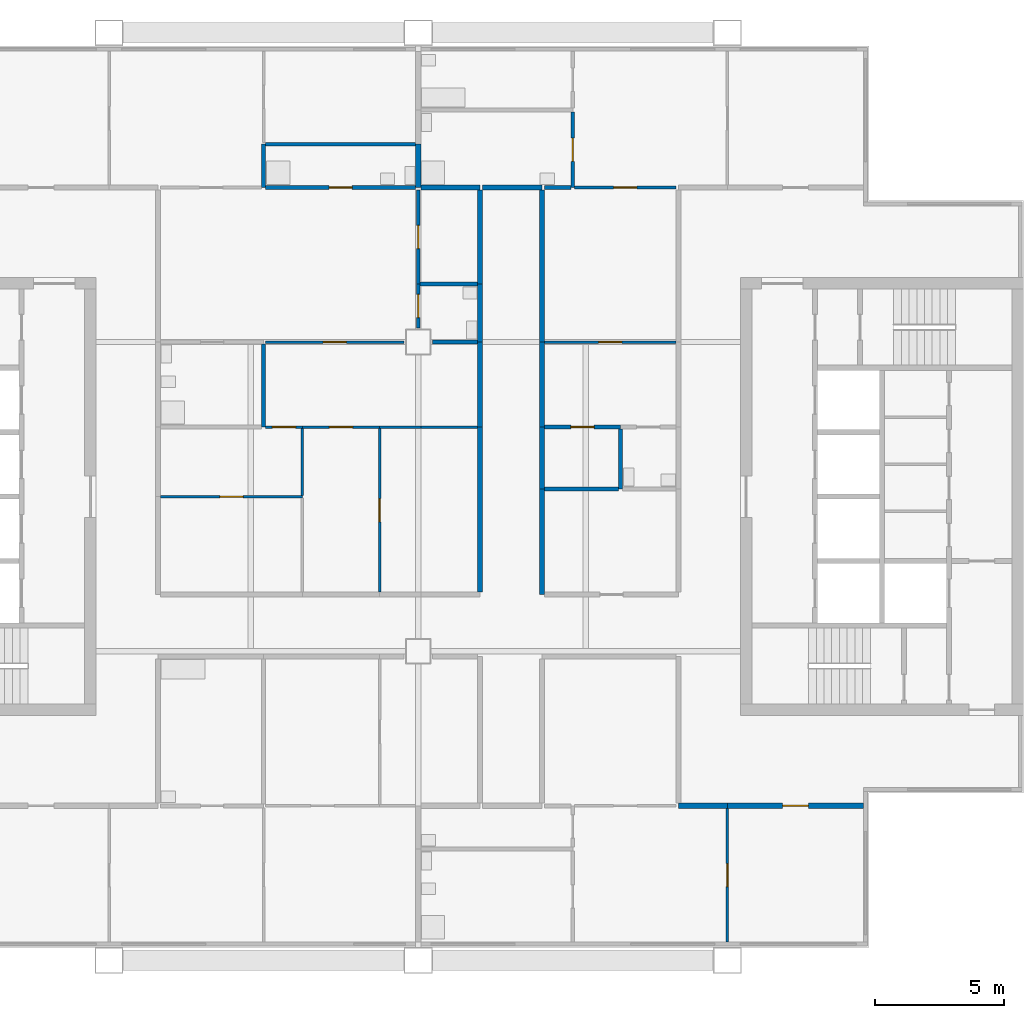
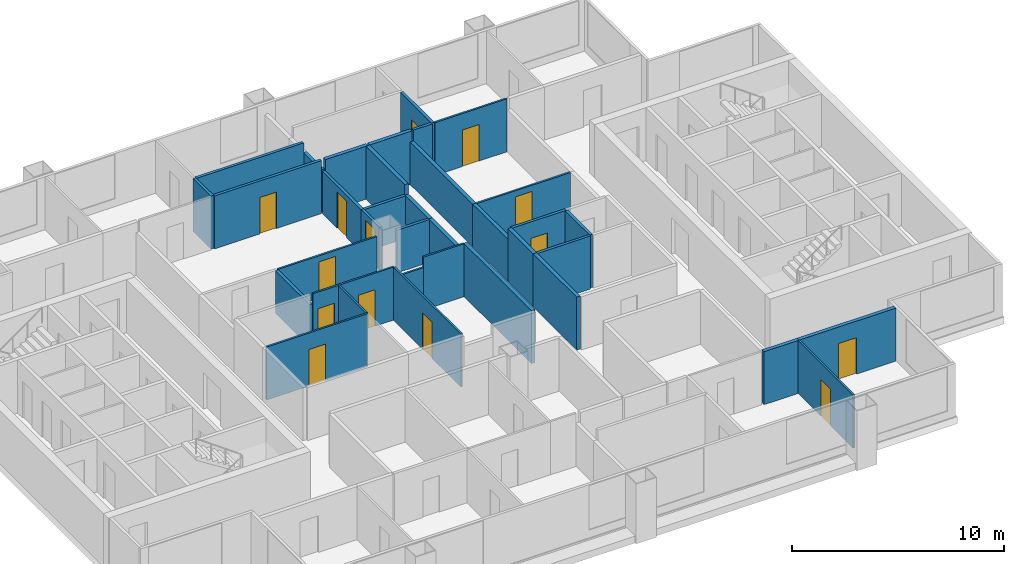
# One storey, part 4 of 9: 37 walls, 14 doors, 14 openings.
"""IFC4 building model written with IfcOpenShell, lengths in metres."""

from ifc_helpers import new_model, si_unit, direction, frame, frame_2d, origin, place, context, subcontext, project, spatial, rectangle, extrude, material, layer, layer_set, type_object, element, fill, save


model = new_model("IFC4")

# Units and contexts
model_context = context("Model", 3, precision=1e-05, world=origin(), true_north=direction((0.0, 1.0)))
body_context = subcontext(model_context, "Body", "Model", "MODEL_VIEW")
ifc_project = project(units=[si_unit("LENGTHUNIT", "METRE"), si_unit("AREAUNIT", "SQUARE_METRE"), si_unit("VOLUMEUNIT", "CUBIC_METRE"), si_unit("PLANEANGLEUNIT", "RADIAN"), si_unit("MASSUNIT", "GRAM", prefix="KILO")], contexts=[model_context])

# Site, building, storey
site_placement = place(None, origin())
site = spatial("IfcSite", under=ifc_project, at=site_placement, CompositionType="ELEMENT")
building_placement = place(site_placement, origin())
building = spatial("IfcBuilding", under=site, at=building_placement, Name="Kitamizu Gate Tower and Museum", CompositionType="ELEMENT")
storey_placement = place(building_placement, frame((0.0, 0.0, 224.85009765625)))
storey = spatial("IfcBuildingStorey", under=building, at=storey_placement, Name="L60", CompositionType="ELEMENT", Elevation=224.85009765625)

# Wall, opening, door
ifc_material_1 = material(Name="Gypsum board on galvanised stud")
ifc_layer_1 = layer(ifc_material_1, 0.10009765625)
ifc_layer_set_1 = layer_set([ifc_layer_1], Name="Gypsum board on galvanised stud")
wall_type_1 = type_object("IfcWallType", Name="Partition 100 NOT RATED", PredefinedType="PARTITIONING", material=ifc_layer_set_1)
wall_1_placement = place(storey_placement, frame((48.0, 12.719970703125, 0.0), z_axis=(0.0, 0.0, 1.0), x_axis=(0.0, 1.0, 0.0)))
wall_1 = element("IfcWall", 1, at=wall_1_placement, inside=storey, type_object=wall_type_1, Name="Partition L60-024", PredefinedType="PARTITIONING", context=body_context, shape_type="SweptSolid", body=[
    extrude(rectangle(XDim=5.179931640625, YDim=0.10009765625, at=frame_2d((2.58984375, 0.0))), origin(), (0.0, 0.0, 1.0), 3.0498046875),
])
opening_1_placement = place(wall_1_placement, frame((2.139892578125, 0.0, 0.0)))
opening_1 = element("IfcOpeningElement", 2, at=opening_1_placement, cuts=wall_1, Name="Opening L60-008", PredefinedType="OPENING", context=body_context, shape_type="SweptSolid", body=[
    extrude(rectangle(XDim=0.89990234375, YDim=2.10009765625, at=frame_2d((0.449951171875, 1.050048828125))), frame((0.0, 0.06005859375, 0.0), z_axis=(0.0, -1.0, 0.0), x_axis=(1.0, 0.0, 0.0)), (0.0, 0.0, 1.0), 0.1201171875),
])
ifc_material_2 = material(Name="Timber door set", Category="wood")
door_type_1 = type_object("IfcDoorType", Name="Room door 900", OperationType="NOTDEFINED", PredefinedType="DOOR", material=ifc_material_2)
door_1_placement = place(opening_1_placement, origin())
door_1 = element("IfcDoor", 3, at=door_1_placement, inside=storey, type_object=door_type_1, Name="Door L60-008", OperationType="SINGLE_SWING_LEFT", OverallHeight=2.10009765625, OverallWidth=0.89990234375, PredefinedType="DOOR", context=body_context, shape_type="SweptSolid", body=[
    extrude(rectangle(XDim=0.89990234375, YDim=2.10009765625, at=frame_2d((0.449951171875, 1.050048828125))), frame((0.0, 0.02490234375, 0.0), z_axis=(0.0, -1.0, 0.0), x_axis=(1.0, 0.0, 0.0)), (0.0, 0.0, 1.0), 0.050048828125),
])
fill(opening_1, door_1)

wall_2_placement = place(storey_placement, frame((30.074951171875, 36.0, 0.0), z_axis=(0.0, 0.0, 1.0), x_axis=(1.0, 0.0, 0.0)))
wall_2 = element("IfcWall", 4, at=wall_2_placement, inside=storey, type_object=wall_type_1, Name="Partition L60-045", PredefinedType="PARTITIONING", context=body_context, shape_type="SweptSolid", body=[
    extrude(rectangle(XDim=5.375, YDim=0.10009765625, at=frame_2d((2.6875, 0.0))), origin(), (0.0, 0.0, 1.0), 2.449951171875),
])
opening_2_placement = place(wall_2_placement, frame((2.237548828125, 0.0, 0.0)))
opening_2 = element("IfcOpeningElement", 5, at=opening_2_placement, cuts=wall_2, Name="Opening L60-020", PredefinedType="OPENING", context=body_context, shape_type="SweptSolid", body=[
    extrude(rectangle(XDim=0.89990234375, YDim=2.10009765625, at=frame_2d((0.449951171875, 1.050048828125))), frame((0.0, 0.06005859375, 0.0), z_axis=(0.0, -1.0, 0.0), x_axis=(1.0, 0.0, 0.0)), (0.0, 0.0, 1.0), 0.1201171875),
])
door_2_placement = place(opening_2_placement, frame((0.89990234375, 0.0, 0.0), x_axis=(-1.0, 0.0, 0.0)))
door_2 = element("IfcDoor", 6, at=door_2_placement, inside=storey, type_object=door_type_1, Name="Door L60-020", OperationType="SINGLE_SWING_RIGHT", OverallHeight=2.10009765625, OverallWidth=0.89990234375, PredefinedType="DOOR", context=body_context, shape_type="SweptSolid", body=[
    extrude(rectangle(XDim=0.89990234375, YDim=2.10009765625, at=frame_2d((0.449951171875, 1.050048828125))), frame((0.0, 0.02490234375, 0.0), z_axis=(0.0, -1.0, 0.0), x_axis=(1.0, 0.0, 0.0)), (0.0, 0.0, 1.0), 0.050048828125),
])
fill(opening_2, door_2)

wall_3_placement = place(storey_placement, frame((30.074951171875, 32.699951171875, 0.0), z_axis=(0.0, 0.0, 1.0), x_axis=(1.0, 0.0, 0.0)))
wall_3 = element("IfcWall", 7, at=wall_3_placement, inside=storey, type_object=wall_type_1, Name="Partition L60-055", PredefinedType="PARTITIONING", context=body_context, shape_type="SweptSolid", body=[
    extrude(rectangle(XDim=1.425048828125, YDim=0.10009765625, at=frame_2d((0.71240234375, 0.0))), origin(), (0.0, 0.0, 1.0), 3.0498046875),
])
opening_3_placement = place(wall_3_placement, frame((0.262451171875, 0.0, 0.0)))
opening_3 = element("IfcOpeningElement", 8, at=opening_3_placement, cuts=wall_3, Name="Opening L60-021", PredefinedType="OPENING", context=body_context, shape_type="SweptSolid", body=[
    extrude(rectangle(XDim=0.89990234375, YDim=2.10009765625, at=frame_2d((0.449951171875, 1.050048828125))), frame((0.0, 0.06005859375, 0.0), z_axis=(0.0, -1.0, 0.0), x_axis=(1.0, 0.0, 0.0)), (0.0, 0.0, 1.0), 0.1201171875),
])
door_3_placement = place(opening_3_placement, frame((0.89990234375, 0.0, 0.0), x_axis=(-1.0, 0.0, 0.0)))
door_3 = element("IfcDoor", 9, at=door_3_placement, inside=storey, type_object=door_type_1, Name="Door L60-021", OperationType="SINGLE_SWING_RIGHT", OverallHeight=2.10009765625, OverallWidth=0.89990234375, PredefinedType="DOOR", context=body_context, shape_type="SweptSolid", body=[
    extrude(rectangle(XDim=0.89990234375, YDim=2.10009765625, at=frame_2d((0.449951171875, 1.050048828125))), frame((0.0, 0.02490234375, 0.0), z_axis=(0.0, -1.0, 0.0), x_axis=(1.0, 0.0, 0.0)), (0.0, 0.0, 1.0), 0.050048828125),
])
fill(opening_3, door_3)

wall_4_placement = place(storey_placement, frame((31.5, 32.699951171875, 0.0), z_axis=(0.0, 0.0, 1.0), x_axis=(1.0, 0.0, 0.0)))
wall_4 = element("IfcWall", 10, at=wall_4_placement, inside=storey, type_object=wall_type_1, Name="Partition L60-056", PredefinedType="PARTITIONING", context=body_context, shape_type="SweptSolid", body=[
    extrude(rectangle(XDim=3.0, YDim=0.10009765625, at=frame_2d((1.5, 0.0))), origin(), (0.0, 0.0, 1.0), 3.0498046875),
])
opening_4_placement = place(wall_4_placement, frame((1.050048828125, 0.0, 0.0)))
opening_4 = element("IfcOpeningElement", 11, at=opening_4_placement, cuts=wall_4, Name="Opening L60-022", PredefinedType="OPENING", context=body_context, shape_type="SweptSolid", body=[
    extrude(rectangle(XDim=0.89990234375, YDim=2.10009765625, at=frame_2d((0.449951171875, 1.050048828125))), frame((0.0, 0.06005859375, 0.0), z_axis=(0.0, -1.0, 0.0), x_axis=(1.0, 0.0, 0.0)), (0.0, 0.0, 1.0), 0.1201171875),
])
door_4_placement = place(opening_4_placement, frame((0.89990234375, 0.0, 0.0), x_axis=(-1.0, 0.0, 0.0)))
door_4 = element("IfcDoor", 12, at=door_4_placement, inside=storey, type_object=door_type_1, Name="Door L60-022", OperationType="SINGLE_SWING_LEFT", OverallHeight=2.10009765625, OverallWidth=0.89990234375, PredefinedType="DOOR", context=body_context, shape_type="SweptSolid", body=[
    extrude(rectangle(XDim=0.89990234375, YDim=2.10009765625, at=frame_2d((0.449951171875, 1.050048828125))), frame((0.0, 0.02490234375, 0.0), z_axis=(0.0, -1.0, 0.0), x_axis=(1.0, 0.0, 0.0)), (0.0, 0.0, 1.0), 0.050048828125),
])
fill(opening_4, door_4)

# Walls
wall_5_placement = place(storey_placement, frame((34.5, 32.699951171875, 0.0), z_axis=(0.0, 0.0, 1.0), x_axis=(1.0, 0.0, 0.0)))
element("IfcWall", 13, at=wall_5_placement, inside=storey, type_object=wall_type_1, Name="Partition L60-057", PredefinedType="PARTITIONING", context=body_context, shape_type="SweptSolid", body=[
    extrude(rectangle(XDim=1.60009765625, YDim=0.10009765625, at=frame_2d((0.800048828125, 0.0))), origin(), (0.0, 0.0, 1.0), 2.449951171875),
])
wall_6_placement = place(storey_placement, frame((36.10009765625, 32.699951171875, 0.0), z_axis=(0.0, 0.0, 1.0), x_axis=(1.0, 0.0, 0.0)))
element("IfcWall", 14, at=wall_6_placement, inside=storey, type_object=wall_type_1, Name="Partition L60-058", PredefinedType="PARTITIONING", context=body_context, shape_type="SweptSolid", body=[
    extrude(rectangle(XDim=2.199951171875, YDim=0.10009765625, at=frame_2d((1.10009765625, 0.0))), origin(), (0.0, 0.0, 1.0), 3.0498046875),
])

# Wall, opening, door
wall_7_placement = place(storey_placement, frame((31.5, 30.0, 0.0), z_axis=(0.0, 0.0, 1.0), x_axis=(-1.0, 0.0, 0.0)))
wall_7 = element("IfcWall", 15, at=wall_7_placement, inside=storey, type_object=wall_type_1, Name="Partition L60-060", PredefinedType="PARTITIONING", context=body_context, shape_type="SweptSolid", body=[
    extrude(rectangle(XDim=5.5, YDim=0.10009765625, at=frame_2d((2.75, 0.0))), origin(), (0.0, 0.0, 1.0), 3.0498046875),
])
opening_5_placement = place(wall_7_placement, frame((2.300048828125, 0.0, 0.0)))
opening_5 = element("IfcOpeningElement", 16, at=opening_5_placement, cuts=wall_7, Name="Opening L60-024", PredefinedType="OPENING", context=body_context, shape_type="SweptSolid", body=[
    extrude(rectangle(XDim=0.89990234375, YDim=2.10009765625, at=frame_2d((0.449951171875, 1.050048828125))), frame((0.0, 0.06005859375, 0.0), z_axis=(0.0, -1.0, 0.0), x_axis=(1.0, 0.0, 0.0)), (0.0, 0.0, 1.0), 0.1201171875),
])
door_5_placement = place(opening_5_placement, frame((0.89990234375, 0.0, 0.0), x_axis=(-1.0, 0.0, 0.0)))
door_5 = element("IfcDoor", 17, at=door_5_placement, inside=storey, type_object=door_type_1, Name="Door L60-024", OperationType="SINGLE_SWING_LEFT", OverallHeight=2.10009765625, OverallWidth=0.89990234375, PredefinedType="DOOR", context=body_context, shape_type="SweptSolid", body=[
    extrude(rectangle(XDim=0.89990234375, YDim=2.10009765625, at=frame_2d((0.449951171875, 1.050048828125))), frame((0.0, 0.02490234375, 0.0), z_axis=(0.0, -1.0, 0.0), x_axis=(1.0, 0.0, 0.0)), (0.0, 0.0, 1.0), 0.050048828125),
])
fill(opening_5, door_5)

# Wall
wall_8_placement = place(storey_placement, frame((31.5, 30.050048828125, 0.0), z_axis=(0.0, 0.0, 1.0), x_axis=(0.0, 1.0, 0.0)))
element("IfcWall", 18, at=wall_8_placement, inside=storey, type_object=wall_type_1, Name="Partition L60-064", PredefinedType="PARTITIONING", context=body_context, shape_type="SweptSolid", body=[
    extrude(rectangle(XDim=2.599853515625, YDim=0.10009765625, at=frame_2d((1.2998046875, 0.0))), origin(), (0.0, 0.0, 1.0), 3.0498046875),
])

# Wall, opening, door
wall_9_placement = place(storey_placement, frame((34.5, 26.300048828125, 0.0), z_axis=(0.0, 0.0, 1.0), x_axis=(0.0, 1.0, 0.0)))
wall_9 = element("IfcWall", 19, at=wall_9_placement, inside=storey, type_object=wall_type_1, Name="Partition L60-066", PredefinedType="PARTITIONING", context=body_context, shape_type="SweptSolid", body=[
    extrude(rectangle(XDim=6.349853515625, YDim=0.10009765625, at=frame_2d((3.1748046875, 0.0))), origin(), (0.0, 0.0, 1.0), 3.0498046875),
])
opening_6_placement = place(wall_9_placement, frame((2.72509765625, 0.0, 0.0)))
opening_6 = element("IfcOpeningElement", 20, at=opening_6_placement, cuts=wall_9, Name="Opening L60-023", PredefinedType="OPENING", context=body_context, shape_type="SweptSolid", body=[
    extrude(rectangle(XDim=0.89990234375, YDim=2.10009765625, at=frame_2d((0.449951171875, 1.050048828125))), frame((0.0, 0.06005859375, 0.0), z_axis=(0.0, -1.0, 0.0), x_axis=(1.0, 0.0, 0.0)), (0.0, 0.0, 1.0), 0.1201171875),
])
door_6_placement = place(opening_6_placement, origin())
door_6 = element("IfcDoor", 21, at=door_6_placement, inside=storey, type_object=door_type_1, Name="Door L60-023", OperationType="SINGLE_SWING_LEFT", OverallHeight=2.10009765625, OverallWidth=0.89990234375, PredefinedType="DOOR", context=body_context, shape_type="SweptSolid", body=[
    extrude(rectangle(XDim=0.89990234375, YDim=2.10009765625, at=frame_2d((0.449951171875, 1.050048828125))), frame((0.0, 0.02490234375, 0.0), z_axis=(0.0, -1.0, 0.0), x_axis=(1.0, 0.0, 0.0)), (0.0, 0.0, 1.0), 0.050048828125),
])
fill(opening_6, door_6)

wall_10_placement = place(storey_placement, frame((42.074951171875, 42.0, 0.0), z_axis=(0.0, 0.0, 1.0), x_axis=(1.0, 0.0, 0.0)))
wall_10 = element("IfcWall", 22, at=wall_10_placement, inside=storey, type_object=wall_type_1, Name="Partition L60-077", PredefinedType="PARTITIONING", context=body_context, shape_type="SweptSolid", body=[
    extrude(rectangle(XDim=3.925048828125, YDim=0.10009765625, at=frame_2d((1.96240234375, 0.0))), origin(), (0.0, 0.0, 1.0), 3.0498046875),
])
opening_7_placement = place(wall_10_placement, frame((1.512451171875, 0.0, 0.0)))
opening_7 = element("IfcOpeningElement", 23, at=opening_7_placement, cuts=wall_10, Name="Opening L60-027", PredefinedType="OPENING", context=body_context, shape_type="SweptSolid", body=[
    extrude(rectangle(XDim=0.89990234375, YDim=2.10009765625, at=frame_2d((0.449951171875, 1.050048828125))), frame((0.0, 0.06005859375, 0.0), z_axis=(0.0, -1.0, 0.0), x_axis=(1.0, 0.0, 0.0)), (0.0, 0.0, 1.0), 0.1201171875),
])
door_7_placement = place(opening_7_placement, origin())
door_7 = element("IfcDoor", 24, at=door_7_placement, inside=storey, type_object=door_type_1, Name="Door L60-027", OperationType="SINGLE_SWING_LEFT", OverallHeight=2.10009765625, OverallWidth=0.89990234375, PredefinedType="DOOR", context=body_context, shape_type="SweptSolid", body=[
    extrude(rectangle(XDim=0.89990234375, YDim=2.10009765625, at=frame_2d((0.449951171875, 1.050048828125))), frame((0.0, 0.02490234375, 0.0), z_axis=(0.0, -1.0, 0.0), x_axis=(1.0, 0.0, 0.0)), (0.0, 0.0, 1.0), 0.050048828125),
])
fill(opening_7, door_7)

wall_11_placement = place(storey_placement, frame((40.89990234375, 36.0, 0.0), z_axis=(0.0, 0.0, 1.0), x_axis=(1.0, 0.0, 0.0)))
wall_11 = element("IfcWall", 25, at=wall_11_placement, inside=storey, type_object=wall_type_1, Name="Partition L60-080", PredefinedType="PARTITIONING", context=body_context, shape_type="SweptSolid", body=[
    extrude(rectangle(XDim=5.10009765625, YDim=0.10009765625, at=frame_2d((2.550048828125, 0.0))), origin(), (0.0, 0.0, 1.0), 2.449951171875),
])
opening_8_placement = place(wall_11_placement, frame((2.10009765625, 0.0, 0.0)))
opening_8 = element("IfcOpeningElement", 26, at=opening_8_placement, cuts=wall_11, Name="Opening L60-030", PredefinedType="OPENING", context=body_context, shape_type="SweptSolid", body=[
    extrude(rectangle(XDim=0.89990234375, YDim=2.10009765625, at=frame_2d((0.449951171875, 1.050048828125))), frame((0.0, 0.06005859375, 0.0), z_axis=(0.0, -1.0, 0.0), x_axis=(1.0, 0.0, 0.0)), (0.0, 0.0, 1.0), 0.1201171875),
])
door_8_placement = place(opening_8_placement, frame((0.89990234375, 0.0, 0.0), x_axis=(-1.0, 0.0, 0.0)))
door_8 = element("IfcDoor", 27, at=door_8_placement, inside=storey, type_object=door_type_1, Name="Door L60-030", OperationType="SINGLE_SWING_LEFT", OverallHeight=2.10009765625, OverallWidth=0.89990234375, PredefinedType="DOOR", context=body_context, shape_type="SweptSolid", body=[
    extrude(rectangle(XDim=0.89990234375, YDim=2.10009765625, at=frame_2d((0.449951171875, 1.050048828125))), frame((0.0, 0.02490234375, 0.0), z_axis=(0.0, -1.0, 0.0), x_axis=(1.0, 0.0, 0.0)), (0.0, 0.0, 1.0), 0.050048828125),
])
fill(opening_8, door_8)

# Walls
ifc_material_3 = material(Name="Gypsum board on galvanised stud")
ifc_layer_2 = layer(ifc_material_3, 0.14990234375)
ifc_layer_set_2 = layer_set([ifc_layer_2], Name="Gypsum board on galvanised stud")
wall_type_2 = type_object("IfcWallType", Name="Partition 150", PredefinedType="PARTITIONING", material=ifc_layer_set_2)
wall_12_placement = place(storey_placement, frame((30.0, 42.0, 0.0), z_axis=(0.0, 0.0, 1.0), x_axis=(0.0, 1.0, 0.0)))
element("IfcWall", 28, at=wall_12_placement, inside=storey, type_object=wall_type_2, Name="Partition L60-034", PredefinedType="PARTITIONING", context=body_context, shape_type="SweptSolid", body=[
    extrude(rectangle(XDim=1.679931640625, YDim=0.14990234375, at=frame_2d((0.83984375, 0.0))), origin(), (0.0, 0.0, 1.0), 3.0498046875),
])
wall_13_placement = place(storey_placement, frame((30.074951171875, 43.679931640625, 0.0), z_axis=(0.0, 0.0, 1.0), x_axis=(1.0, 0.0, 0.0)))
element("IfcWall", 29, at=wall_13_placement, inside=storey, type_object=wall_type_2, Name="Partition L60-037", PredefinedType="PARTITIONING", context=body_context, shape_type="SweptSolid", body=[
    extrude(rectangle(XDim=5.824951171875, YDim=0.14990234375, at=frame_2d((2.91259765625, 0.0))), origin(), (0.0, 0.0, 1.0), 3.0498046875),
])

# Wall, opening, door
wall_14_placement = place(storey_placement, frame((30.074951171875, 42.0, 0.0), z_axis=(0.0, 0.0, 1.0), x_axis=(1.0, 0.0, 0.0)))
wall_14 = element("IfcWall", 30, at=wall_14_placement, inside=storey, type_object=wall_type_2, Name="Partition L60-040", PredefinedType="PARTITIONING", context=body_context, shape_type="SweptSolid", body=[
    extrude(rectangle(XDim=5.824951171875, YDim=0.14990234375, at=frame_2d((2.91259765625, 0.0))), origin(), (0.0, 0.0, 1.0), 3.0498046875),
])
opening_9_placement = place(wall_14_placement, frame((2.46240234375, 0.0, 0.0)))
opening_9 = element("IfcOpeningElement", 31, at=opening_9_placement, cuts=wall_14, Name="Opening L60-015", PredefinedType="OPENING", context=body_context, shape_type="SweptSolid", body=[
    extrude(rectangle(XDim=0.89990234375, YDim=2.10009765625, at=frame_2d((0.449951171875, 1.050048828125))), frame((0.0, 0.0849609375, 0.0), z_axis=(0.0, -1.0, 0.0), x_axis=(1.0, 0.0, 0.0)), (0.0, 0.0, 1.0), 0.169921875),
])
ifc_material_4 = material(Name="Timber door set", Category="wood")
door_type_2 = type_object("IfcDoorType", Name="Bathroom door 900", OperationType="NOTDEFINED", PredefinedType="DOOR", material=ifc_material_4)
door_9_placement = place(opening_9_placement, origin())
door_9 = element("IfcDoor", 32, at=door_9_placement, inside=storey, type_object=door_type_2, Name="Bathroom door L60-015", OperationType="SINGLE_SWING_RIGHT", OverallHeight=2.10009765625, OverallWidth=0.89990234375, PredefinedType="DOOR", context=body_context, shape_type="SweptSolid", body=[
    extrude(rectangle(XDim=0.89990234375, YDim=2.10009765625, at=frame_2d((0.449951171875, 1.050048828125))), frame((0.0, 0.02490234375, 0.0), z_axis=(0.0, -1.0, 0.0), x_axis=(1.0, 0.0, 0.0)), (0.0, 0.0, 1.0), 0.050048828125),
])
fill(opening_9, door_9)

wall_15_placement = place(storey_placement, frame((36.0, 36.550048828125, 0.0), z_axis=(0.0, 0.0, 1.0), x_axis=(0.0, 1.0, 0.0)))
wall_15 = element("IfcWall", 33, at=wall_15_placement, inside=storey, type_object=wall_type_2, Name="Partition L60-042", PredefinedType="PARTITIONING", context=body_context, shape_type="SweptSolid", body=[
    extrude(rectangle(XDim=1.699951171875, YDim=0.14990234375, at=frame_2d((0.85009765625, 0.0))), origin(), (0.0, 0.0, 1.0), 2.449951171875),
])
opening_10_placement = place(wall_15_placement, frame((0.39990234375, 0.0, 0.0)))
opening_10 = element("IfcOpeningElement", 34, at=opening_10_placement, cuts=wall_15, Name="Opening L60-018", PredefinedType="OPENING", context=body_context, shape_type="SweptSolid", body=[
    extrude(rectangle(XDim=0.89990234375, YDim=2.10009765625, at=frame_2d((0.449951171875, 1.050048828125))), frame((0.0, 0.0849609375, 0.0), z_axis=(0.0, -1.0, 0.0), x_axis=(1.0, 0.0, 0.0)), (0.0, 0.0, 1.0), 0.169921875),
])
door_10_placement = place(opening_10_placement, frame((0.89990234375, 0.0, 0.0), x_axis=(-1.0, 0.0, 0.0)))
door_10 = element("IfcDoor", 35, at=door_10_placement, inside=storey, type_object=door_type_2, Name="Bathroom door L60-018", OperationType="SINGLE_SWING_RIGHT", OverallHeight=2.10009765625, OverallWidth=0.89990234375, PredefinedType="DOOR", context=body_context, shape_type="SweptSolid", body=[
    extrude(rectangle(XDim=0.89990234375, YDim=2.10009765625, at=frame_2d((0.449951171875, 1.050048828125))), frame((0.0, 0.02490234375, 0.0), z_axis=(0.0, -1.0, 0.0), x_axis=(1.0, 0.0, 0.0)), (0.0, 0.0, 1.0), 0.050048828125),
])
fill(opening_10, door_10)

wall_16_placement = place(storey_placement, frame((36.0, 38.25, 0.0), z_axis=(0.0, 0.0, 1.0), x_axis=(0.0, 1.0, 0.0)))
wall_16 = element("IfcWall", 36, at=wall_16_placement, inside=storey, type_object=wall_type_2, Name="Partition L60-043", PredefinedType="PARTITIONING", context=body_context, shape_type="SweptSolid", body=[
    extrude(rectangle(XDim=3.64990234375, YDim=0.14990234375, at=frame_2d((1.824951171875, 0.0))), origin(), (0.0, 0.0, 1.0), 2.449951171875),
])
opening_11_placement = place(wall_16_placement, frame((1.375, 0.0, 0.0)))
opening_11 = element("IfcOpeningElement", 37, at=opening_11_placement, cuts=wall_16, Name="Opening L60-019", PredefinedType="OPENING", context=body_context, shape_type="SweptSolid", body=[
    extrude(rectangle(XDim=0.89990234375, YDim=2.10009765625, at=frame_2d((0.449951171875, 1.050048828125))), frame((0.0, 0.0849609375, 0.0), z_axis=(0.0, -1.0, 0.0), x_axis=(1.0, 0.0, 0.0)), (0.0, 0.0, 1.0), 0.169921875),
])
door_11_placement = place(opening_11_placement, frame((0.89990234375, 0.0, 0.0), x_axis=(-1.0, 0.0, 0.0)))
door_11 = element("IfcDoor", 38, at=door_11_placement, inside=storey, type_object=door_type_2, Name="Bathroom door L60-019", OperationType="SINGLE_SWING_LEFT", OverallHeight=2.10009765625, OverallWidth=0.89990234375, PredefinedType="DOOR", context=body_context, shape_type="SweptSolid", body=[
    extrude(rectangle(XDim=0.89990234375, YDim=2.10009765625, at=frame_2d((0.449951171875, 1.050048828125))), frame((0.0, 0.02490234375, 0.0), z_axis=(0.0, -1.0, 0.0), x_axis=(1.0, 0.0, 0.0)), (0.0, 0.0, 1.0), 0.050048828125),
])
fill(opening_11, door_11)

# Walls
wall_17_placement = place(storey_placement, frame((38.300048828125, 38.25, 0.0), z_axis=(0.0, 0.0, 1.0), x_axis=(-1.0, 0.0, 0.0)))
element("IfcWall", 39, at=wall_17_placement, inside=storey, type_object=wall_type_2, Name="Partition L60-047", PredefinedType="PARTITIONING", context=body_context, shape_type="SweptSolid", body=[
    extrude(rectangle(XDim=2.22509765625, YDim=0.14990234375, at=frame_2d((1.112548828125, 0.0))), origin(), (0.0, 0.0, 1.0), 2.449951171875),
])
wall_18_placement = place(storey_placement, frame((36.550048828125, 36.0, 0.0), z_axis=(0.0, 0.0, 1.0), x_axis=(1.0, 0.0, 0.0)))
element("IfcWall", 40, at=wall_18_placement, inside=storey, type_object=wall_type_2, Name="Partition L60-048", PredefinedType="PARTITIONING", context=body_context, shape_type="SweptSolid", body=[
    extrude(rectangle(XDim=1.75, YDim=0.14990234375, at=frame_2d((0.875, 0.0))), origin(), (0.0, 0.0, 1.0), 2.449951171875),
])
wall_19_placement = place(storey_placement, frame((30.0, 32.699951171875, 0.0), z_axis=(0.0, 0.0, 1.0), x_axis=(0.0, 1.0, 0.0)))
element("IfcWall", 41, at=wall_19_placement, inside=storey, type_object=wall_type_2, Name="Partition L60-052", PredefinedType="PARTITIONING", context=body_context, shape_type="SweptSolid", body=[
    extrude(rectangle(XDim=3.22509765625, YDim=0.14990234375, at=frame_2d((1.612548828125, 0.0))), origin(), (0.0, 0.0, 1.0), 2.449951171875),
])

# Wall, opening, door
wall_20_placement = place(storey_placement, frame((42.0, 42.0, 0.0), z_axis=(0.0, 0.0, 1.0), x_axis=(0.0, 1.0, 0.0)))
wall_20 = element("IfcWall", 42, at=wall_20_placement, inside=storey, type_object=wall_type_2, Name="Partition L60-072", PredefinedType="PARTITIONING", context=body_context, shape_type="SweptSolid", body=[
    extrude(rectangle(XDim=2.925048828125, YDim=0.14990234375, at=frame_2d((1.46240234375, 0.0))), origin(), (0.0, 0.0, 1.0), 3.0498046875),
])
opening_12_placement = place(wall_20_placement, frame((1.012451171875, 0.0, 0.0)))
opening_12 = element("IfcOpeningElement", 43, at=opening_12_placement, cuts=wall_20, Name="Opening L60-028", PredefinedType="OPENING", context=body_context, shape_type="SweptSolid", body=[
    extrude(rectangle(XDim=0.89990234375, YDim=2.10009765625, at=frame_2d((0.449951171875, 1.050048828125))), frame((0.0, 0.0849609375, 0.0), z_axis=(0.0, -1.0, 0.0), x_axis=(1.0, 0.0, 0.0)), (0.0, 0.0, 1.0), 0.169921875),
])
door_12_placement = place(opening_12_placement, origin())
door_12 = element("IfcDoor", 44, at=door_12_placement, inside=storey, type_object=door_type_2, Name="Bathroom door L60-028", OperationType="SINGLE_SWING_RIGHT", OverallHeight=2.10009765625, OverallWidth=0.89990234375, PredefinedType="DOOR", context=body_context, shape_type="SweptSolid", body=[
    extrude(rectangle(XDim=0.89990234375, YDim=2.10009765625, at=frame_2d((0.449951171875, 1.050048828125))), frame((0.0, 0.02490234375, 0.0), z_axis=(0.0, -1.0, 0.0), x_axis=(1.0, 0.0, 0.0)), (0.0, 0.0, 1.0), 0.050048828125),
])
fill(opening_12, door_12)

# Wall
wall_21_placement = place(storey_placement, frame((40.89990234375, 42.0, 0.0), z_axis=(0.0, 0.0, 1.0), x_axis=(1.0, 0.0, 0.0)))
element("IfcWall", 45, at=wall_21_placement, inside=storey, type_object=wall_type_2, Name="Partition L60-073", PredefinedType="PARTITIONING", context=body_context, shape_type="SweptSolid", body=[
    extrude(rectangle(XDim=1.025146484375, YDim=0.14990234375, at=frame_2d((0.5126953125, 0.0))), origin(), (0.0, 0.0, 1.0), 3.0498046875),
])

# Wall, opening, door
wall_22_placement = place(storey_placement, frame((40.89990234375, 32.699951171875, 0.0), z_axis=(0.0, 0.0, 1.0), x_axis=(1.0, 0.0, 0.0)))
wall_22 = element("IfcWall", 46, at=wall_22_placement, inside=storey, type_object=wall_type_2, Name="Partition L60-084", PredefinedType="PARTITIONING", context=body_context, shape_type="SweptSolid", body=[
    extrude(rectangle(XDim=2.9501953125, YDim=0.14990234375, at=frame_2d((1.47509765625, 0.0))), origin(), (0.0, 0.0, 1.0), 3.0498046875),
])
opening_13_placement = place(wall_22_placement, frame((1.02490234375, 0.0, 0.0)))
opening_13 = element("IfcOpeningElement", 47, at=opening_13_placement, cuts=wall_22, Name="Opening L60-032", PredefinedType="OPENING", context=body_context, shape_type="SweptSolid", body=[
    extrude(rectangle(XDim=0.89990234375, YDim=2.10009765625, at=frame_2d((0.449951171875, 1.050048828125))), frame((0.0, 0.0849609375, 0.0), z_axis=(0.0, -1.0, 0.0), x_axis=(1.0, 0.0, 0.0)), (0.0, 0.0, 1.0), 0.169921875),
])
door_13_placement = place(opening_13_placement, frame((0.89990234375, 0.0, 0.0), x_axis=(-1.0, 0.0, 0.0)))
door_13 = element("IfcDoor", 48, at=door_13_placement, inside=storey, type_object=door_type_2, Name="Bathroom door L60-032", OperationType="SINGLE_SWING_LEFT", OverallHeight=2.10009765625, OverallWidth=0.89990234375, PredefinedType="DOOR", context=body_context, shape_type="SweptSolid", body=[
    extrude(rectangle(XDim=0.89990234375, YDim=2.10009765625, at=frame_2d((0.449951171875, 1.050048828125))), frame((0.0, 0.02490234375, 0.0), z_axis=(0.0, -1.0, 0.0), x_axis=(1.0, 0.0, 0.0)), (0.0, 0.0, 1.0), 0.050048828125),
])
fill(opening_13, door_13)

# Walls
wall_23_placement = place(storey_placement, frame((43.85009765625, 32.625, 0.0), z_axis=(0.0, 0.0, 1.0), x_axis=(0.0, -1.0, 0.0)))
element("IfcWall", 49, at=wall_23_placement, inside=storey, type_object=wall_type_2, Name="Partition L60-087", PredefinedType="PARTITIONING", context=body_context, shape_type="SweptSolid", body=[
    extrude(rectangle(XDim=2.324951171875, YDim=0.14990234375, at=frame_2d((1.16259765625, 0.0))), origin(), (0.0, 0.0, 1.0), 3.0498046875),
])
wall_24_placement = place(storey_placement, frame((40.89990234375, 30.300048828125, 0.0), z_axis=(0.0, 0.0, 1.0), x_axis=(1.0, 0.0, 0.0)))
element("IfcWall", 50, at=wall_24_placement, inside=storey, type_object=wall_type_2, Name="Partition L60-090", PredefinedType="PARTITIONING", context=body_context, shape_type="SweptSolid", body=[
    extrude(rectangle(XDim=2.875, YDim=0.14990234375, at=frame_2d((1.4375, 0.0))), origin(), (0.0, 0.0, 1.0), 3.0498046875),
])
ifc_material_5 = material(Name="Gypsum board on galvanised stud")
ifc_layer_3 = layer(ifc_material_5, 0.199951171875)
ifc_layer_set_3 = layer_set([ifc_layer_3], Name="Gypsum board on galvanised stud")
wall_type_3 = type_object("IfcWallType", Name="Partition 200", PredefinedType="PARTITIONING", material=ifc_layer_set_3)
wall_25_placement = place(storey_placement, frame((48.0, 18.0, 0.0), z_axis=(0.0, 0.0, 1.0), x_axis=(-1.0, 0.0, 0.0)))
element("IfcWall", 51, at=wall_25_placement, inside=storey, type_object=wall_type_3, Name="Partition L60-026", PredefinedType="PARTITIONING", context=body_context, shape_type="SweptSolid", body=[
    extrude(rectangle(XDim=1.89990234375, YDim=0.199951171875, at=frame_2d((0.949951171875, 0.0))), origin(), (0.0, 0.0, 1.0), 3.0498046875),
])

# Wall, opening, door
wall_26_placement = place(storey_placement, frame((53.280029296875, 18.0, 0.0), z_axis=(0.0, 0.0, 1.0), x_axis=(-1.0, 0.0, 0.0)))
wall_26 = element("IfcWall", 52, at=wall_26_placement, inside=storey, type_object=wall_type_3, Name="Partition L60-027", PredefinedType="PARTITIONING", context=body_context, shape_type="SweptSolid", body=[
    extrude(rectangle(XDim=5.280029296875, YDim=0.199951171875, at=frame_2d((2.64013671875, 0.0))), origin(), (0.0, 0.0, 1.0), 3.0498046875),
])
opening_14_placement = place(wall_26_placement, frame((2.139892578125, 0.0, 0.0)))
opening_14 = element("IfcOpeningElement", 53, at=opening_14_placement, cuts=wall_26, Name="Opening L60-007", PredefinedType="OPENING", context=body_context, shape_type="SweptSolid", body=[
    extrude(rectangle(XDim=1.0, YDim=2.10009765625, at=frame_2d((0.5, 1.050048828125))), frame((0.0, 0.10986328125, 0.0), z_axis=(0.0, -1.0, 0.0), x_axis=(1.0, 0.0, 0.0)), (0.0, 0.0, 1.0), 0.219970703125),
])
ifc_material_6 = material(Name="Timber door set", Category="wood")
door_type_3 = type_object("IfcDoorType", Name="Flat entrance door 1000", OperationType="NOTDEFINED", PredefinedType="DOOR", material=ifc_material_6)
door_14_placement = place(opening_14_placement, origin())
door_14 = element("IfcDoor", 54, at=door_14_placement, inside=storey, type_object=door_type_3, Name="Flat entrance door L60-007", OperationType="SINGLE_SWING_RIGHT", OverallHeight=2.10009765625, OverallWidth=1.0, PredefinedType="DOOR", context=body_context, shape_type="SweptSolid", body=[
    extrude(rectangle(XDim=1.0, YDim=2.10009765625, at=frame_2d((0.5, 1.050048828125))), frame((0.0, 0.02490234375, 0.0), z_axis=(0.0, -1.0, 0.0), x_axis=(1.0, 0.0, 0.0)), (0.0, 0.0, 1.0), 0.050048828125),
])
fill(opening_14, door_14)

# Walls
wall_27_placement = place(storey_placement, frame((36.0, 42.0, 0.0), z_axis=(0.0, 0.0, 1.0), x_axis=(0.0, 1.0, 0.0)))
element("IfcWall", 55, at=wall_27_placement, inside=storey, type_object=wall_type_3, Name="Partition L60-041", PredefinedType="PARTITIONING", context=body_context, shape_type="SweptSolid", body=[
    extrude(rectangle(XDim=1.679931640625, YDim=0.199951171875, at=frame_2d((0.83984375, 0.0))), origin(), (0.0, 0.0, 1.0), 2.449951171875),
])
wall_28_placement = place(storey_placement, frame((38.39990234375, 36.0, 0.0), z_axis=(0.0, 0.0, 1.0), x_axis=(0.0, 1.0, 0.0)))
element("IfcWall", 56, at=wall_28_placement, inside=storey, type_object=wall_type_3, Name="Partition L60-049", PredefinedType="PARTITIONING", context=body_context, shape_type="SweptSolid", body=[
    extrude(rectangle(XDim=2.25, YDim=0.199951171875, at=frame_2d((1.125, 0.0))), origin(), (0.0, 0.0, 1.0), 2.449951171875),
])
wall_29_placement = place(storey_placement, frame((38.39990234375, 42.0, 0.0), z_axis=(0.0, 0.0, 1.0), x_axis=(-1.0, 0.0, 0.0)))
element("IfcWall", 57, at=wall_29_placement, inside=storey, type_object=wall_type_3, Name="Partition L60-050", PredefinedType="PARTITIONING", context=body_context, shape_type="SweptSolid", body=[
    extrude(rectangle(XDim=2.2998046875, YDim=0.199951171875, at=frame_2d((1.14990234375, 0.0))), origin(), (0.0, 0.0, 1.0), 3.0498046875),
])
wall_30_placement = place(storey_placement, frame((38.39990234375, 38.25, 0.0), z_axis=(0.0, 0.0, 1.0), x_axis=(0.0, 1.0, 0.0)))
element("IfcWall", 58, at=wall_30_placement, inside=storey, type_object=wall_type_3, Name="Partition L60-051", PredefinedType="PARTITIONING", context=body_context, shape_type="SweptSolid", body=[
    extrude(rectangle(XDim=3.64990234375, YDim=0.199951171875, at=frame_2d((1.824951171875, 0.0))), origin(), (0.0, 0.0, 1.0), 3.0498046875),
])
wall_31_placement = place(storey_placement, frame((38.39990234375, 32.699951171875, 0.0), z_axis=(0.0, 0.0, 1.0), x_axis=(0.0, 1.0, 0.0)))
element("IfcWall", 59, at=wall_31_placement, inside=storey, type_object=wall_type_3, Name="Partition L60-059", PredefinedType="PARTITIONING", context=body_context, shape_type="SweptSolid", body=[
    extrude(rectangle(XDim=3.300048828125, YDim=0.199951171875, at=frame_2d((1.64990234375, 0.0))), origin(), (0.0, 0.0, 1.0), 2.449951171875),
])
wall_32_placement = place(storey_placement, frame((38.39990234375, 26.300048828125, 0.0), z_axis=(0.0, 0.0, 1.0), x_axis=(0.0, 1.0, 0.0)))
element("IfcWall", 60, at=wall_32_placement, inside=storey, type_object=wall_type_3, Name="Partition L60-070", PredefinedType="PARTITIONING", context=body_context, shape_type="SweptSolid", body=[
    extrude(rectangle(XDim=6.39990234375, YDim=0.199951171875, at=frame_2d((3.199951171875, 0.0))), origin(), (0.0, 0.0, 1.0), 3.0498046875),
])
wall_33_placement = place(storey_placement, frame((38.5, 42.0, 0.0), z_axis=(0.0, 0.0, 1.0), x_axis=(1.0, 0.0, 0.0)))
element("IfcWall", 61, at=wall_33_placement, inside=storey, type_object=wall_type_3, Name="Partition L60-074", PredefinedType="PARTITIONING", context=body_context, shape_type="SweptSolid", body=[
    extrude(rectangle(XDim=2.300048828125, YDim=0.199951171875, at=frame_2d((1.14990234375, 0.0))), origin(), (0.0, 0.0, 1.0), 3.0498046875),
])
wall_34_placement = place(storey_placement, frame((40.800048828125, 41.89990234375, 0.0), z_axis=(0.0, 0.0, 1.0), x_axis=(0.0, -1.0, 0.0)))
element("IfcWall", 62, at=wall_34_placement, inside=storey, type_object=wall_type_3, Name="Partition L60-081", PredefinedType="PARTITIONING", context=body_context, shape_type="SweptSolid", body=[
    extrude(rectangle(XDim=5.89990234375, YDim=0.199951171875, at=frame_2d((2.949951171875, 0.0))), origin(), (0.0, 0.0, 1.0), 2.449951171875),
])
wall_35_placement = place(storey_placement, frame((40.800048828125, 36.0, 0.0), z_axis=(0.0, 0.0, 1.0), x_axis=(0.0, -1.0, 0.0)))
element("IfcWall", 63, at=wall_35_placement, inside=storey, type_object=wall_type_3, Name="Partition L60-085", PredefinedType="PARTITIONING", context=body_context, shape_type="SweptSolid", body=[
    extrude(rectangle(XDim=3.300048828125, YDim=0.199951171875, at=frame_2d((1.64990234375, 0.0))), origin(), (0.0, 0.0, 1.0), 2.449951171875),
])
wall_36_placement = place(storey_placement, frame((40.800048828125, 32.699951171875, 0.0), z_axis=(0.0, 0.0, 1.0), x_axis=(0.0, -1.0, 0.0)))
element("IfcWall", 64, at=wall_36_placement, inside=storey, type_object=wall_type_3, Name="Partition L60-091", PredefinedType="PARTITIONING", context=body_context, shape_type="SweptSolid", body=[
    extrude(rectangle(XDim=2.39990234375, YDim=0.199951171875, at=frame_2d((1.199951171875, 0.0))), origin(), (0.0, 0.0, 1.0), 3.0498046875),
])
wall_37_placement = place(storey_placement, frame((40.800048828125, 30.300048828125, 0.0), z_axis=(0.0, 0.0, 1.0), x_axis=(0.0, -1.0, 0.0)))
element("IfcWall", 65, at=wall_37_placement, inside=storey, type_object=wall_type_3, Name="Partition L60-092", PredefinedType="PARTITIONING", context=body_context, shape_type="SweptSolid", body=[
    extrude(rectangle(XDim=4.10009765625, YDim=0.199951171875, at=frame_2d((2.050048828125, 0.0))), origin(), (0.0, 0.0, 1.0), 3.0498046875),
])

save(model, "model.ifc")
